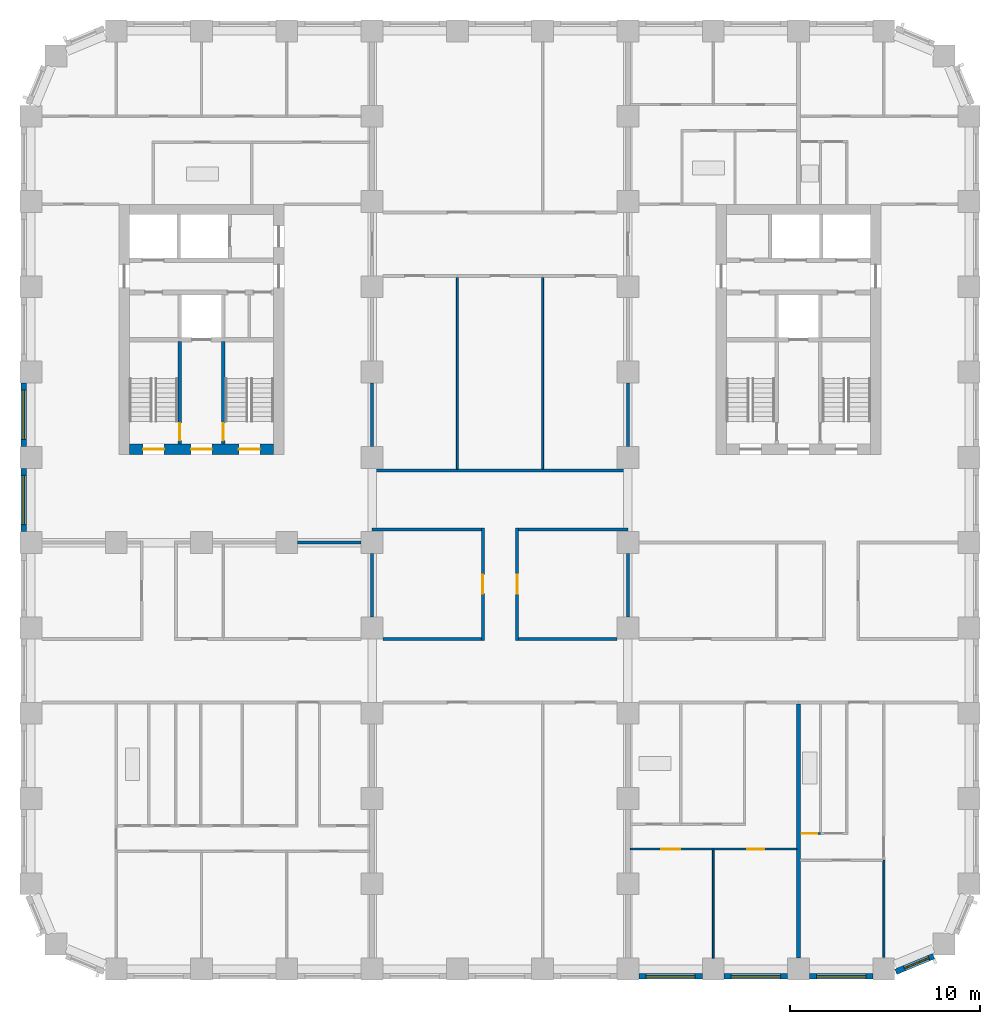
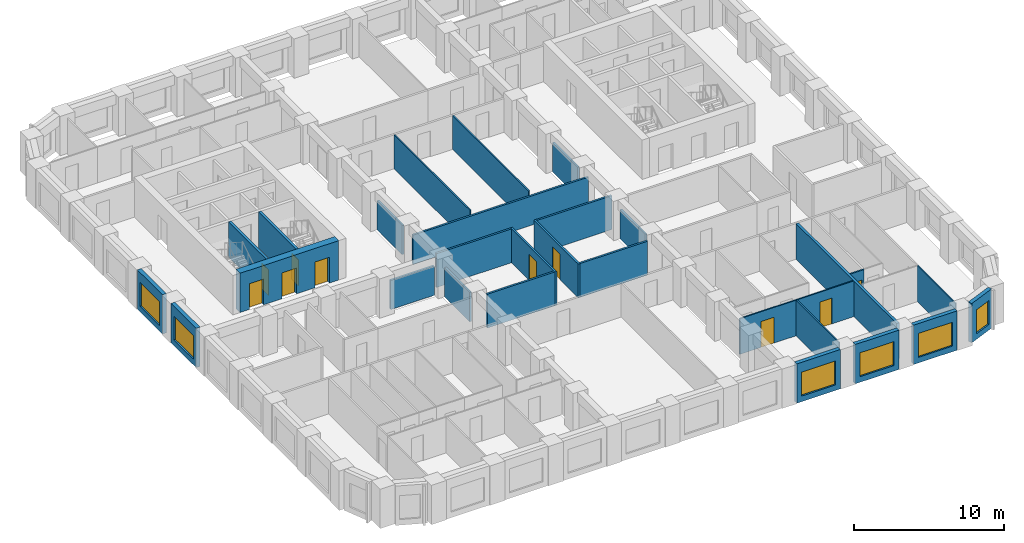
# One storey, part 4 of 13: 29 walls, 10 doors, 6 windows, 16 openings.
"""IFC4 building model written with IfcOpenShell, lengths in metres."""

from ifc_helpers import new_model, si_unit, direction, frame, frame_2d, origin, place, context, subcontext, project, spatial, rectangle, extrude, material, layer, layer_set, type_object, element, fill, save


model = new_model("IFC4")

# Units and contexts
model_context = context("Model", 3, precision=1e-05, world=origin(), true_north=direction((0.0, 1.0)))
body_context = subcontext(model_context, "Body", "Model", "MODEL_VIEW")
ifc_project = project(units=[si_unit("LENGTHUNIT", "METRE"), si_unit("AREAUNIT", "SQUARE_METRE"), si_unit("VOLUMEUNIT", "CUBIC_METRE"), si_unit("PLANEANGLEUNIT", "RADIAN"), si_unit("MASSUNIT", "GRAM", prefix="KILO")], contexts=[model_context])

# Site, building, storey
site_placement = place(None, origin())
site = spatial("IfcSite", under=ifc_project, at=site_placement, CompositionType="ELEMENT")
building_placement = place(site_placement, origin())
building = spatial("IfcBuilding", under=site, at=building_placement, Name="Girih Gate Residences", CompositionType="ELEMENT")
storey_placement = place(building_placement, frame((0.0, 0.0, 102.39990234375)))
storey = spatial("IfcBuildingStorey", under=building, at=storey_placement, Name="L28", CompositionType="ELEMENT", Elevation=102.39990234375)

# Wall, opening, door
ifc_material_1 = material(Name="Gypsum board on steel studs", Category="steel")
ifc_layer_1 = layer(ifc_material_1, 0.14990234375)
ifc_layer_set_1 = layer_set([ifc_layer_1], Name="Compartment wall 150 mm")
wall_type_1 = type_object("IfcWallType", Name="Compartment wall 150 mm", PredefinedType="PARTITIONING", material=ifc_layer_set_1)
wall_1_placement = place(storey_placement, frame((23.85009765625, 17.35009765625, 0.0), z_axis=(0.0, 0.0, 1.0), x_axis=(0.0, 1.0, 0.0)))
wall_1 = element("IfcWall", 1, at=wall_1_placement, inside=storey, type_object=wall_type_1, Name="L28 partition", PredefinedType="PARTITIONING", context=body_context, shape_type="SweptSolid", body=[
    extrude(rectangle(XDim=5.9248046875, YDim=0.14990234375, at=frame_2d((2.96240234375, 0.0))), origin(), (0.0, 0.0, 1.0), 2.75),
])
opening_1_placement = place(wall_1_placement, frame((2.46240234375, 0.0, 0.0)))
opening_1 = element("IfcOpeningElement", 2, at=opening_1_placement, cuts=wall_1, Name="Opening A28-048", PredefinedType="OPENING", context=body_context, shape_type="SweptSolid", body=[
    extrude(rectangle(XDim=1.0, YDim=2.10009765625, at=frame_2d((0.5, 1.050048828125))), frame((0.0, 0.0849609375, 0.0), z_axis=(0.0, -1.0, 0.0), x_axis=(1.0, 0.0, 0.0)), (0.0, 0.0, 1.0), 0.169921875),
])
ifc_material_2 = material(Name="Timber, fire-rated core", Category="wood")
door_type_1 = type_object("IfcDoorType", Name="Amenity room door 1000x2100 FD30S", OperationType="NOTDEFINED", PredefinedType="DOOR", material=ifc_material_2)
door_1_placement = place(opening_1_placement, origin())
door_1 = element("IfcDoor", 3, at=door_1_placement, inside=storey, type_object=door_type_1, Name="Door A28-048", OperationType="SINGLE_SWING_RIGHT", OverallHeight=2.10009765625, OverallWidth=1.0, PredefinedType="DOOR", context=body_context, shape_type="SweptSolid", body=[
    extrude(rectangle(XDim=1.0, YDim=2.10009765625, at=frame_2d((0.5, 1.050048828125))), frame((0.0, 0.02490234375, 0.0), z_axis=(0.0, -1.0, 0.0), x_axis=(1.0, 0.0, 0.0)), (0.0, 0.0, 1.0), 0.050048828125),
])
fill(opening_1, door_1)

wall_2_placement = place(storey_placement, frame((25.64990234375, 23.27490234375, 0.0), z_axis=(0.0, 0.0, 1.0), x_axis=(0.0, -1.0, 0.0)))
wall_2 = element("IfcWall", 4, at=wall_2_placement, inside=storey, type_object=wall_type_1, Name="L28 partition", PredefinedType="PARTITIONING", context=body_context, shape_type="SweptSolid", body=[
    extrude(rectangle(XDim=5.9248046875, YDim=0.14990234375, at=frame_2d((2.96240234375, 0.0))), origin(), (0.0, 0.0, 1.0), 2.75),
])
opening_2_placement = place(wall_2_placement, frame((2.46240234375, 0.0, 0.0)))
opening_2 = element("IfcOpeningElement", 5, at=opening_2_placement, cuts=wall_2, Name="Opening A28-049", PredefinedType="OPENING", context=body_context, shape_type="SweptSolid", body=[
    extrude(rectangle(XDim=1.0, YDim=2.10009765625, at=frame_2d((0.5, 1.050048828125))), frame((0.0, 0.0849609375, 0.0), z_axis=(0.0, -1.0, 0.0), x_axis=(1.0, 0.0, 0.0)), (0.0, 0.0, 1.0), 0.169921875),
])
door_2_placement = place(opening_2_placement, origin())
door_2 = element("IfcDoor", 6, at=door_2_placement, inside=storey, type_object=door_type_1, Name="Door A28-049", OperationType="SINGLE_SWING_RIGHT", OverallHeight=2.10009765625, OverallWidth=1.0, PredefinedType="DOOR", context=body_context, shape_type="SweptSolid", body=[
    extrude(rectangle(XDim=1.0, YDim=2.10009765625, at=frame_2d((0.5, 1.050048828125))), frame((0.0, 0.02490234375, 0.0), z_axis=(0.0, -1.0, 0.0), x_axis=(1.0, 0.0, 0.0)), (0.0, 0.0, 1.0), 0.050048828125),
])
fill(opening_2, door_2)

# Walls
for number, where, z_axis, x_axis, name in (
    (7, (18.574951171875, 17.425048828125, 0.0), (0.0, 0.0, 1.0), (1.0, 0.0, 0.0), "L28 partition"),
    (8, (25.72509765625, 17.425048828125, 0.0), (0.0, 0.0, 1.0), (1.0, 0.0, 0.0), "L28 partition"),
):
    element("IfcWall", number, at=place(storey_placement, frame(where, z_axis=z_axis, x_axis=x_axis)), inside=storey, type_object=wall_type_1, Name=name, PredefinedType="PARTITIONING", context=body_context, shape_type="SweptSolid", body=[
        extrude(rectangle(XDim=5.199951171875, YDim=0.14990234375, at=frame_2d((2.60009765625, 0.0))), origin(), (0.0, 0.0, 1.0), 2.75),
    ])
wall_3_placement = place(storey_placement, frame((18.0, 27.574951171875, 0.0), z_axis=(0.0, 0.0, 1.0), x_axis=(0.0, 1.0, 0.0)))
element("IfcWall", 9, at=wall_3_placement, inside=storey, type_object=wall_type_1, Name="L28 partition", PredefinedType="PARTITIONING", context=body_context, shape_type="SweptSolid", body=[
    extrude(rectangle(XDim=3.35009765625, YDim=0.14990234375, at=frame_2d((1.675048828125, 0.0))), origin(), (0.0, 0.0, 1.0), 2.380126953125),
])
wall_4_placement = place(storey_placement, frame((18.0, 26.300048828125, 0.0), z_axis=(0.0, 0.0, 1.0), x_axis=(1.0, 0.0, 0.0)))
element("IfcWall", 10, at=wall_4_placement, inside=storey, type_object=wall_type_1, Name="L28 partition", PredefinedType="PARTITIONING", context=body_context, shape_type="SweptSolid", body=[
    extrude(rectangle(XDim=13.5, YDim=0.14990234375, at=frame_2d((6.75, 0.0))), origin(), (0.0, 0.0, 1.0), 2.380126953125),
])
wall_5_placement = place(storey_placement, frame((31.5, 27.574951171875, 0.0), z_axis=(0.0, 0.0, 1.0), x_axis=(0.0, 1.0, 0.0)))
element("IfcWall", 11, at=wall_5_placement, inside=storey, type_object=wall_type_1, Name="L28 partition", PredefinedType="PARTITIONING", context=body_context, shape_type="SweptSolid", body=[
    extrude(rectangle(XDim=3.35009765625, YDim=0.14990234375, at=frame_2d((1.675048828125, 0.0))), origin(), (0.0, 0.0, 1.0), 2.380126953125),
])
wall_6_placement = place(storey_placement, frame((18.0, 23.199951171875, 0.0), z_axis=(0.0, 0.0, 1.0), x_axis=(1.0, 0.0, 0.0)))
element("IfcWall", 12, at=wall_6_placement, inside=storey, type_object=wall_type_1, Name="L28 partition", PredefinedType="PARTITIONING", context=body_context, shape_type="SweptSolid", body=[
    extrude(rectangle(XDim=5.77490234375, YDim=0.14990234375, at=frame_2d((2.887451171875, 0.0))), origin(), (0.0, 0.0, 1.0), 2.75),
])
wall_7_placement = place(storey_placement, frame((18.0, 18.574951171875, 0.0), z_axis=(0.0, 0.0, 1.0), x_axis=(0.0, 1.0, 0.0)))
element("IfcWall", 13, at=wall_7_placement, inside=storey, type_object=wall_type_1, Name="L28 partition", PredefinedType="PARTITIONING", context=body_context, shape_type="SweptSolid", body=[
    extrude(rectangle(XDim=3.35009765625, YDim=0.14990234375, at=frame_2d((1.675048828125, 0.0))), origin(), (0.0, 0.0, 1.0), 2.380126953125),
])
wall_8_placement = place(storey_placement, frame((25.72509765625, 23.199951171875, 0.0), z_axis=(0.0, 0.0, 1.0), x_axis=(1.0, 0.0, 0.0)))
element("IfcWall", 14, at=wall_8_placement, inside=storey, type_object=wall_type_1, Name="L28 partition", PredefinedType="PARTITIONING", context=body_context, shape_type="SweptSolid", body=[
    extrude(rectangle(XDim=5.77490234375, YDim=0.14990234375, at=frame_2d((2.887451171875, 0.0))), origin(), (0.0, 0.0, 1.0), 2.75),
])
for number, where, z_axis, x_axis, name in (
    (15, (31.5, 18.574951171875, 0.0), (0.0, 0.0, 1.0), (0.0, 1.0, 0.0), "L28 partition"),
    (16, (14.074951171875, 22.5, 0.0), (0.0, 0.0, 1.0), (1.0, 0.0, 0.0), "L28 partition"),
):
    element("IfcWall", number, at=place(storey_placement, frame(where, z_axis=z_axis, x_axis=x_axis)), inside=storey, type_object=wall_type_1, Name=name, PredefinedType="PARTITIONING", context=body_context, shape_type="SweptSolid", body=[
        extrude(rectangle(XDim=3.35009765625, YDim=0.14990234375, at=frame_2d((1.675048828125, 0.0))), origin(), (0.0, 0.0, 1.0), 2.380126953125),
    ])

# Wall, openings, doors
ifc_material_3 = material(Name="Concrete C60/75", Category="concrete")
ifc_layer_2 = layer(ifc_material_3, 0.550048828125)
ifc_layer_set_2 = layer_set([ifc_layer_2], Name="Core wall RC 550 Concrete C60/75")
wall_type_2 = type_object("IfcWallType", Name="Core wall RC 550 Concrete C60/75", PredefinedType="SOLIDWALL", material=ifc_layer_set_2)
wall_9_placement = place(storey_placement, frame((5.199951171875, 27.425048828125, 0.0), z_axis=(0.0, 0.0, 1.0), x_axis=(1.0, 0.0, 0.0)))
wall_9 = element("IfcWall", 17, at=wall_9_placement, inside=storey, type_object=wall_type_2, Name="Core wall W-S L28", PredefinedType="SOLIDWALL", context=body_context, shape_type="SweptSolid", body=[
    extrude(rectangle(XDim=7.60009765625, YDim=0.550048828125, at=frame_2d((3.800048828125, 0.0))), origin(), (0.0, 0.0, 1.0), 3.2001953125),
])
opening_3_placement = place(wall_9_placement, frame((0.72509765625, 0.0, 0.0)))
opening_3 = element("IfcOpeningElement", 18, at=opening_3_placement, cuts=wall_9, Name="Opening D-L28-W-009", PredefinedType="OPENING", context=body_context, shape_type="SweptSolid", body=[
    extrude(rectangle(XDim=1.10009765625, YDim=2.10009765625, at=frame_2d((0.550048828125, 1.050048828125))), frame((0.0, 0.284912109375, 0.0), z_axis=(0.0, -1.0, 0.0), x_axis=(1.0, 0.0, 0.0)), (0.0, 0.0, 1.0), 0.570068359375),
])
opening_4_placement = place(wall_9_placement, frame((3.25, 0.0, 0.0)))
opening_4 = element("IfcOpeningElement", 19, at=opening_4_placement, cuts=wall_9, Name="Opening D-L28-W-010", PredefinedType="OPENING", context=body_context, shape_type="SweptSolid", body=[
    extrude(rectangle(XDim=1.10009765625, YDim=2.10009765625, at=frame_2d((0.550048828125, 1.050048828125))), frame((0.0, 0.284912109375, 0.0), z_axis=(0.0, -1.0, 0.0), x_axis=(1.0, 0.0, 0.0)), (0.0, 0.0, 1.0), 0.570068359375),
])
opening_5_placement = place(wall_9_placement, frame((5.77490234375, 0.0, 0.0)))
opening_5 = element("IfcOpeningElement", 20, at=opening_5_placement, cuts=wall_9, Name="Opening D-L28-W-011", PredefinedType="OPENING", context=body_context, shape_type="SweptSolid", body=[
    extrude(rectangle(XDim=1.10009765625, YDim=2.10009765625, at=frame_2d((0.550048828125, 1.050048828125))), frame((0.0, 0.284912109375, 0.0), z_axis=(0.0, -1.0, 0.0), x_axis=(1.0, 0.0, 0.0)), (0.0, 0.0, 1.0), 0.570068359375),
])
ifc_material_4 = material(Name="Painted steel, fire-resisting", Category="steel")
door_type_2 = type_object("IfcDoorType", Name="Fire door 1100x2100", OperationType="SINGLE_SWING_LEFT", PredefinedType="DOOR", material=ifc_material_4)
door_3_placement = place(opening_3_placement, origin())
door_3 = element("IfcDoor", 21, at=door_3_placement, inside=storey, type_object=door_type_2, Name="L28 W core door sta-out", OperationType="SINGLE_SWING_LEFT", OverallHeight=2.10009765625, OverallWidth=1.10009765625, PredefinedType="DOOR", context=body_context, shape_type="SweptSolid", body=[
    extrude(rectangle(XDim=1.10009765625, YDim=2.10009765625, at=frame_2d((0.550048828125, 1.050048828125))), frame((0.0, 0.02490234375, 0.0), z_axis=(0.0, -1.0, 0.0), x_axis=(1.0, 0.0, 0.0)), (0.0, 0.0, 1.0), 0.050048828125),
])
fill(opening_3, door_3)
door_4_placement = place(opening_4_placement, origin())
door_4 = element("IfcDoor", 22, at=door_4_placement, inside=storey, type_object=door_type_2, Name="L28 W core door ffl-out", OperationType="SINGLE_SWING_LEFT", OverallHeight=2.10009765625, OverallWidth=1.10009765625, PredefinedType="DOOR", context=body_context, shape_type="SweptSolid", body=[
    extrude(rectangle(XDim=1.10009765625, YDim=2.10009765625, at=frame_2d((0.550048828125, 1.050048828125))), frame((0.0, 0.02490234375, 0.0), z_axis=(0.0, -1.0, 0.0), x_axis=(1.0, 0.0, 0.0)), (0.0, 0.0, 1.0), 0.050048828125),
])
fill(opening_4, door_4)
door_5_placement = place(opening_5_placement, origin())
door_5 = element("IfcDoor", 23, at=door_5_placement, inside=storey, type_object=door_type_2, Name="L28 W core door stb-out", OperationType="SINGLE_SWING_LEFT", OverallHeight=2.10009765625, OverallWidth=1.10009765625, PredefinedType="DOOR", context=body_context, shape_type="SweptSolid", body=[
    extrude(rectangle(XDim=1.10009765625, YDim=2.10009765625, at=frame_2d((0.550048828125, 1.050048828125))), frame((0.0, 0.02490234375, 0.0), z_axis=(0.0, -1.0, 0.0), x_axis=(1.0, 0.0, 0.0)), (0.0, 0.0, 1.0), 0.050048828125),
])
fill(opening_5, door_5)

# Wall
ifc_layer_3 = layer(ifc_material_1, 0.10009765625)
ifc_layer_set_3 = layer_set([ifc_layer_3], Name="Partition 100 mm")
wall_type_3 = type_object("IfcWallType", Name="Partition 100 mm", PredefinedType="PARTITIONING", material=ifc_layer_set_3)
wall_10_placement = place(storey_placement, frame((45.0, 0.622314453125, 0.0), z_axis=(0.0, 0.0, 1.0), x_axis=(0.0, 1.0, 0.0)))
element("IfcWall", 24, at=wall_10_placement, inside=storey, type_object=wall_type_3, Name="L28 partition", PredefinedType="PARTITIONING", context=body_context, shape_type="SweptSolid", body=[
    extrude(rectangle(XDim=5.11279296875, YDim=0.10009765625, at=frame_2d((2.556396484375, 0.0))), origin(), (0.0, 0.0, 1.0), 2.900146484375),
])

# Wall, opening, door
wall_11_placement = place(storey_placement, frame((40.39990234375, 6.3349609375, 0.0), z_axis=(0.0, 0.0, 1.0), x_axis=(-1.0, 0.0, 0.0)))
wall_11 = element("IfcWall", 25, at=wall_11_placement, inside=storey, type_object=wall_type_3, Name="L28 partition", PredefinedType="PARTITIONING", context=body_context, shape_type="SweptSolid", body=[
    extrude(rectangle(XDim=4.39990234375, YDim=0.10009765625, at=frame_2d((2.199951171875, 0.0))), origin(), (0.0, 0.0, 1.0), 2.900146484375),
])
opening_6_placement = place(wall_11_placement, frame((1.699951171875, 0.0, 0.0)))
opening_6 = element("IfcOpeningElement", 26, at=opening_6_placement, cuts=wall_11, Name="Opening A28-025", PredefinedType="OPENING", context=body_context, shape_type="SweptSolid", body=[
    extrude(rectangle(XDim=0.89990234375, YDim=2.10009765625, at=frame_2d((0.449951171875, 1.050048828125))), frame((0.0, 0.06005859375, 0.0), z_axis=(0.0, -1.0, 0.0), x_axis=(1.0, 0.0, 0.0)), (0.0, 0.0, 1.0), 0.1201171875),
])
ifc_material_5 = material(Name="Timber", Category="wood")
door_type_3 = type_object("IfcDoorType", Name="Bedroom door 900x2100", OperationType="NOTDEFINED", PredefinedType="DOOR", material=ifc_material_5)
door_6_placement = place(opening_6_placement, origin())
door_6 = element("IfcDoor", 27, at=door_6_placement, inside=storey, type_object=door_type_3, Name="Door A28-025", OperationType="SINGLE_SWING_LEFT", OverallHeight=2.10009765625, OverallWidth=0.89990234375, PredefinedType="DOOR", context=body_context, shape_type="SweptSolid", body=[
    extrude(rectangle(XDim=0.89990234375, YDim=2.10009765625, at=frame_2d((0.449951171875, 1.050048828125))), frame((0.0, 0.02490234375, 0.0), z_axis=(0.0, -1.0, 0.0), x_axis=(1.0, 0.0, 0.0)), (0.0, 0.0, 1.0), 0.050048828125),
])
fill(opening_6, door_6)

# Wall
wall_12_placement = place(storey_placement, frame((36.0, 0.574951171875, 0.0), z_axis=(0.0, 0.0, 1.0), x_axis=(0.0, 1.0, 0.0)))
element("IfcWall", 28, at=wall_12_placement, inside=storey, type_object=wall_type_3, Name="L28 partition", PredefinedType="PARTITIONING", context=body_context, shape_type="SweptSolid", body=[
    extrude(rectangle(XDim=5.7099609375, YDim=0.10009765625, at=frame_2d((2.85498046875, 0.0))), origin(), (0.0, 0.0, 1.0), 2.900146484375),
])

# Wall, opening, door
wall_13_placement = place(storey_placement, frame((36.0, 6.3349609375, 0.0), z_axis=(0.0, 0.0, 1.0), x_axis=(-1.0, 0.0, 0.0)))
wall_13 = element("IfcWall", 29, at=wall_13_placement, inside=storey, type_object=wall_type_3, Name="L28 partition", PredefinedType="PARTITIONING", context=body_context, shape_type="SweptSolid", body=[
    extrude(rectangle(XDim=4.375, YDim=0.10009765625, at=frame_2d((2.1875, 0.0))), origin(), (0.0, 0.0, 1.0), 2.900146484375),
])
opening_7_placement = place(wall_13_placement, frame((1.75, 0.0, 0.0)))
opening_7 = element("IfcOpeningElement", 30, at=opening_7_placement, cuts=wall_13, Name="Opening A28-027", PredefinedType="OPENING", context=body_context, shape_type="SweptSolid", body=[
    extrude(rectangle(XDim=1.0, YDim=2.10009765625, at=frame_2d((0.5, 1.050048828125))), frame((0.0, 0.06005859375, 0.0), z_axis=(0.0, -1.0, 0.0), x_axis=(1.0, 0.0, 0.0)), (0.0, 0.0, 1.0), 0.1201171875),
])
door_type_4 = type_object("IfcDoorType", Name="Living room door 1000x2100", OperationType="NOTDEFINED", PredefinedType="DOOR", material=ifc_material_5)
door_7_placement = place(opening_7_placement, origin())
door_7 = element("IfcDoor", 31, at=door_7_placement, inside=storey, type_object=door_type_4, Name="Door A28-027", OperationType="SINGLE_SWING_RIGHT", OverallHeight=2.10009765625, OverallWidth=1.0, PredefinedType="DOOR", context=body_context, shape_type="SweptSolid", body=[
    extrude(rectangle(XDim=1.0, YDim=2.10009765625, at=frame_2d((0.5, 1.050048828125))), frame((0.0, 0.02490234375, 0.0), z_axis=(0.0, -1.0, 0.0), x_axis=(1.0, 0.0, 0.0)), (0.0, 0.0, 1.0), 0.050048828125),
])
fill(opening_7, door_7)

# Walls
for number, where, z_axis, x_axis, name in (
    (32, (22.5, 26.375, 0.0), (0.0, 0.0, 1.0), (0.0, 1.0, 0.0), "L28 partition"),
    (33, (27.0, 26.375, 0.0), (0.0, 0.0, 1.0), (0.0, 1.0, 0.0), "L28 partition"),
):
    element("IfcWall", number, at=place(storey_placement, frame(where, z_axis=z_axis, x_axis=x_axis)), inside=storey, type_object=wall_type_3, Name=name, PredefinedType="PARTITIONING", context=body_context, shape_type="SweptSolid", body=[
        extrude(rectangle(XDim=10.125, YDim=0.10009765625, at=frame_2d((5.0625, 0.0))), origin(), (0.0, 0.0, 1.0), 2.75),
    ])
ifc_layer_4 = layer(ifc_material_1, 0.199951171875)
ifc_layer_set_4 = layer_set([ifc_layer_4], Name="Party wall 200 mm")
wall_type_4 = type_object("IfcWallType", Name="Party wall 200 mm", PredefinedType="PARTITIONING", material=ifc_layer_set_4)
wall_14_placement = place(storey_placement, frame((40.5, 0.574951171875, 0.0), z_axis=(0.0, 0.0, 1.0), x_axis=(0.0, 1.0, 0.0)))
element("IfcWall", 34, at=wall_14_placement, inside=storey, type_object=wall_type_4, Name="L28 partition", PredefinedType="PARTITIONING", context=body_context, shape_type="SweptSolid", body=[
    extrude(rectangle(XDim=13.425048828125, YDim=0.199951171875, at=frame_2d((6.71240234375, 0.0))), origin(), (0.0, 0.0, 1.0), 2.900146484375),
])

# Wall, opening, window
ifc_material_6 = material(Name="Precast concrete C50/60", Category="concrete")
ifc_layer_5 = layer(ifc_material_6, 0.080078125, Name="Outer leaf")
ifc_material_7 = material(Name="Rigid PIR insulation")
ifc_layer_6 = layer(ifc_material_7, 0.14990234375, Name="Insulation")
ifc_material_8 = material(Name="Precast concrete C40/50", Category="concrete")
ifc_layer_7 = layer(ifc_material_8, 0.070068359375, Name="Inner leaf")
ifc_layer_set_5 = layer_set([ifc_layer_5, ifc_layer_6, ifc_layer_7], Name="Precast concrete C50/60 external wall 300")
wall_type_5 = type_object("IfcWallType", Name="Precast concrete C50/60 external wall 300", PredefinedType="SOLIDWALL", material=ifc_layer_set_5)
wall_15_placement = place(storey_placement, frame((35.425048828125, -0.375, 0.0), z_axis=(0.0, 0.0, 1.0), x_axis=(-1.0, 0.0, 0.0)))
wall_15 = element("IfcWall", 35, at=wall_15_placement, inside=storey, type_object=wall_type_5, Name="External wall S0045_0000.6", PredefinedType="SOLIDWALL", context=body_context, shape_type="SweptSolid", body=[
    extrude(rectangle(XDim=3.35009765625, YDim=0.300048828125, at=frame_2d((1.675048828125, 0.0))), origin(), (0.0, 0.0, 1.0), 3.2001953125),
])
opening_8_placement = place(wall_15_placement, frame((0.375, 0.0, 0.449951171875)))
opening_8 = element("IfcOpeningElement", 36, at=opening_8_placement, cuts=wall_15, Name="Opening W-1A", PredefinedType="OPENING", context=body_context, shape_type="SweptSolid", body=[
    extrude(rectangle(XDim=2.60009765625, YDim=1.949951171875, at=frame_2d((1.300048828125, 0.97509765625))), frame((0.0, 0.159912109375, 0.0), z_axis=(0.0, -1.0, 0.0), x_axis=(1.0, 0.0, 0.0)), (0.0, 0.0, 1.0), 0.320068359375),
])
ifc_material_9 = material(Name="Double glazing in aluminium frame", Category="aluminium")
window_type_1 = type_object("IfcWindowType", Name="Window W-1A 2600x1950", PartitioningType="SINGLE_PANEL", PredefinedType="WINDOW", material=ifc_material_9)
window_1_placement = place(opening_8_placement, origin())
window_1 = element("IfcWindow", 37, at=window_1_placement, inside=storey, type_object=window_type_1, Name="Window W-1A S0045_0000.6", OverallHeight=1.949951171875, OverallWidth=2.60009765625, PartitioningType="SINGLE_PANEL", PredefinedType="WINDOW", context=body_context, shape_type="SweptSolid", body=[
    extrude(rectangle(XDim=2.60009765625, YDim=1.949951171875, at=frame_2d((1.300048828125, 0.97509765625))), frame((0.0, 0.030029296875, 0.0), z_axis=(0.0, -1.0, 0.0), x_axis=(1.0, 0.0, 0.0)), (0.0, 0.0, 1.0), 0.06005859375),
])
fill(opening_8, window_1)

wall_16_placement = place(storey_placement, frame((39.925048828125, -0.375, 0.0), z_axis=(0.0, 0.0, 1.0), x_axis=(-1.0, 0.0, 0.0)))
wall_16 = element("IfcWall", 38, at=wall_16_placement, inside=storey, type_object=wall_type_5, Name="External wall S0045_0000.7", PredefinedType="SOLIDWALL", context=body_context, shape_type="SweptSolid", body=[
    extrude(rectangle(XDim=3.35009765625, YDim=0.300048828125, at=frame_2d((1.675048828125, 0.0))), origin(), (0.0, 0.0, 1.0), 3.2001953125),
])
opening_9_placement = place(wall_16_placement, frame((0.375, 0.0, 0.449951171875)))
opening_9 = element("IfcOpeningElement", 39, at=opening_9_placement, cuts=wall_16, Name="Opening W-1A", PredefinedType="OPENING", context=body_context, shape_type="SweptSolid", body=[
    extrude(rectangle(XDim=2.60009765625, YDim=1.949951171875, at=frame_2d((1.300048828125, 0.97509765625))), frame((0.0, 0.159912109375, 0.0), z_axis=(0.0, -1.0, 0.0), x_axis=(1.0, 0.0, 0.0)), (0.0, 0.0, 1.0), 0.320068359375),
])
window_2_placement = place(opening_9_placement, origin())
window_2 = element("IfcWindow", 40, at=window_2_placement, inside=storey, type_object=window_type_1, Name="Window W-1A S0045_0000.7", OverallHeight=1.949951171875, OverallWidth=2.60009765625, PartitioningType="SINGLE_PANEL", PredefinedType="WINDOW", context=body_context, shape_type="SweptSolid", body=[
    extrude(rectangle(XDim=2.60009765625, YDim=1.949951171875, at=frame_2d((1.300048828125, 0.97509765625))), frame((0.0, 0.030029296875, 0.0), z_axis=(0.0, -1.0, 0.0), x_axis=(1.0, 0.0, 0.0)), (0.0, 0.0, 1.0), 0.06005859375),
])
fill(opening_9, window_2)

wall_17_placement = place(storey_placement, frame((44.425048828125, -0.375, 0.0), z_axis=(0.0, 0.0, 1.0), x_axis=(-1.0, 0.0, 0.0)))
wall_17 = element("IfcWall", 41, at=wall_17_placement, inside=storey, type_object=wall_type_5, Name="External wall S0045_0000.8", PredefinedType="SOLIDWALL", context=body_context, shape_type="SweptSolid", body=[
    extrude(rectangle(XDim=3.35009765625, YDim=0.300048828125, at=frame_2d((1.675048828125, 0.0))), origin(), (0.0, 0.0, 1.0), 3.2001953125),
])
opening_10_placement = place(wall_17_placement, frame((0.375, 0.0, 0.449951171875)))
opening_10 = element("IfcOpeningElement", 42, at=opening_10_placement, cuts=wall_17, Name="Opening W-1A", PredefinedType="OPENING", context=body_context, shape_type="SweptSolid", body=[
    extrude(rectangle(XDim=2.60009765625, YDim=1.949951171875, at=frame_2d((1.300048828125, 0.97509765625))), frame((0.0, 0.159912109375, 0.0), z_axis=(0.0, -1.0, 0.0), x_axis=(1.0, 0.0, 0.0)), (0.0, 0.0, 1.0), 0.320068359375),
])
window_3_placement = place(opening_10_placement, origin())
window_3 = element("IfcWindow", 43, at=window_3_placement, inside=storey, type_object=window_type_1, Name="Window W-1A S0045_0000.8", OverallHeight=1.949951171875, OverallWidth=2.60009765625, PartitioningType="SINGLE_PANEL", PredefinedType="WINDOW", context=body_context, shape_type="SweptSolid", body=[
    extrude(rectangle(XDim=2.60009765625, YDim=1.949951171875, at=frame_2d((1.300048828125, 0.97509765625))), frame((0.0, 0.030029296875, 0.0), z_axis=(0.0, -1.0, 0.0), x_axis=(1.0, 0.0, 0.0)), (0.0, 0.0, 1.0), 0.06005859375),
])
fill(opening_10, window_3)

wall_18_placement = place(storey_placement, frame((47.63134765625, 0.68408203125, 0.0), z_axis=(0.0, 0.0, 1.0), x_axis=(-0.923862802911, -0.382723818695, 0.0)))
wall_18 = element("IfcWall", 44, at=wall_18_placement, inside=storey, type_object=wall_type_5, Name="External wall SE0450_0000.0", PredefinedType="SOLIDWALL", context=body_context, shape_type="SweptSolid", body=[
    extrude(rectangle(XDim=2.163818359375, YDim=0.300048828125, at=frame_2d((1.08203125, 0.0))), origin(), (0.0, 0.0, 1.0), 3.2001953125),
])
opening_11_placement = place(wall_18_placement, frame((0.270751953125, 0.0, 0.449951171875)))
opening_11 = element("IfcOpeningElement", 45, at=opening_11_placement, cuts=wall_18, Name="Opening W-2D", PredefinedType="OPENING", context=body_context, shape_type="SweptSolid", body=[
    extrude(rectangle(XDim=1.39990234375, YDim=1.949951171875, at=frame_2d((0.699951171875, 0.97509765625))), frame((0.0, 0.159912109375, 0.0), z_axis=(0.0, -1.0, 0.0), x_axis=(1.0, 0.0, 0.0)), (0.0, 0.0, 1.0), 0.320068359375),
])
window_type_2 = type_object("IfcWindowType", Name="Window W-2D 1400x1950", PartitioningType="SINGLE_PANEL", PredefinedType="WINDOW", material=ifc_material_9)
window_4_placement = place(opening_11_placement, origin())
window_4 = element("IfcWindow", 46, at=window_4_placement, inside=storey, type_object=window_type_2, Name="Window W-2D SE0450_0000.0", OverallHeight=1.949951171875, OverallWidth=1.39990234375, PartitioningType="SINGLE_PANEL", PredefinedType="WINDOW", context=body_context, shape_type="SweptSolid", body=[
    extrude(rectangle(XDim=1.39990234375, YDim=1.949951171875, at=frame_2d((0.699951171875, 0.97509765625))), frame((0.0, 0.030029296875, 0.0), z_axis=(0.0, -1.0, 0.0), x_axis=(1.0, 0.0, 0.0)), (0.0, 0.0, 1.0), 0.06005859375),
])
fill(opening_11, window_4)

wall_19_placement = place(storey_placement, frame((-0.375, 27.574951171875, 0.0), z_axis=(0.0, 0.0, 1.0), x_axis=(0.0, 1.0, 0.0)))
wall_19 = element("IfcWall", 47, at=wall_19_placement, inside=storey, type_object=wall_type_5, Name="External wall W0000_0450.3", PredefinedType="SOLIDWALL", context=body_context, shape_type="SweptSolid", body=[
    extrude(rectangle(XDim=3.35009765625, YDim=0.300048828125, at=frame_2d((1.675048828125, 0.0))), origin(), (0.0, 0.0, 1.0), 3.2001953125),
])
opening_12_placement = place(wall_19_placement, frame((0.375, 0.0, 0.449951171875)))
opening_12 = element("IfcOpeningElement", 48, at=opening_12_placement, cuts=wall_19, Name="Opening W-1A", PredefinedType="OPENING", context=body_context, shape_type="SweptSolid", body=[
    extrude(rectangle(XDim=2.60009765625, YDim=1.949951171875, at=frame_2d((1.300048828125, 0.97509765625))), frame((0.0, 0.159912109375, 0.0), z_axis=(0.0, -1.0, 0.0), x_axis=(1.0, 0.0, 0.0)), (0.0, 0.0, 1.0), 0.320068359375),
])
window_5_placement = place(opening_12_placement, origin())
window_5 = element("IfcWindow", 49, at=window_5_placement, inside=storey, type_object=window_type_1, Name="Window W-1A W0000_0450.3", OverallHeight=1.949951171875, OverallWidth=2.60009765625, PartitioningType="SINGLE_PANEL", PredefinedType="WINDOW", context=body_context, shape_type="SweptSolid", body=[
    extrude(rectangle(XDim=2.60009765625, YDim=1.949951171875, at=frame_2d((1.300048828125, 0.97509765625))), frame((0.0, 0.030029296875, 0.0), z_axis=(0.0, -1.0, 0.0), x_axis=(1.0, 0.0, 0.0)), (0.0, 0.0, 1.0), 0.06005859375),
])
fill(opening_12, window_5)

wall_20_placement = place(storey_placement, frame((-0.375, 23.074951171875, 0.0), z_axis=(0.0, 0.0, 1.0), x_axis=(0.0, 1.0, 0.0)))
wall_20 = element("IfcWall", 50, at=wall_20_placement, inside=storey, type_object=wall_type_5, Name="External wall W0000_0450.4", PredefinedType="SOLIDWALL", context=body_context, shape_type="SweptSolid", body=[
    extrude(rectangle(XDim=3.35009765625, YDim=0.300048828125, at=frame_2d((1.675048828125, 0.0))), origin(), (0.0, 0.0, 1.0), 3.2001953125),
])
opening_13_placement = place(wall_20_placement, frame((0.375, 0.0, 0.449951171875)))
opening_13 = element("IfcOpeningElement", 51, at=opening_13_placement, cuts=wall_20, Name="Opening W-1A", PredefinedType="OPENING", context=body_context, shape_type="SweptSolid", body=[
    extrude(rectangle(XDim=2.60009765625, YDim=1.949951171875, at=frame_2d((1.300048828125, 0.97509765625))), frame((0.0, 0.159912109375, 0.0), z_axis=(0.0, -1.0, 0.0), x_axis=(1.0, 0.0, 0.0)), (0.0, 0.0, 1.0), 0.320068359375),
])
window_6_placement = place(opening_13_placement, origin())
window_6 = element("IfcWindow", 52, at=window_6_placement, inside=storey, type_object=window_type_1, Name="Window W-1A W0000_0450.4", OverallHeight=1.949951171875, OverallWidth=2.60009765625, PartitioningType="SINGLE_PANEL", PredefinedType="WINDOW", context=body_context, shape_type="SweptSolid", body=[
    extrude(rectangle(XDim=2.60009765625, YDim=1.949951171875, at=frame_2d((1.300048828125, 0.97509765625))), frame((0.0, 0.030029296875, 0.0), z_axis=(0.0, -1.0, 0.0), x_axis=(1.0, 0.0, 0.0)), (0.0, 0.0, 1.0), 0.06005859375),
])
fill(opening_13, window_6)

# Wall, opening, door
ifc_material_10 = material(Name="Concrete C40/50", Category="concrete")
ifc_layer_8 = layer(ifc_material_10, 0.199951171875)
ifc_layer_set_6 = layer_set([ifc_layer_8], Name="Shaft wall 200")
wall_type_6 = type_object("IfcWallType", Name="Shaft wall 200", PredefinedType="SOLIDWALL", material=ifc_layer_set_6)
wall_21_placement = place(storey_placement, frame((7.85009765625, 27.699951171875, 0.0), z_axis=(0.0, 0.0, 1.0), x_axis=(0.0, 1.0, 0.0)))
wall_21 = element("IfcWall", 53, at=wall_21_placement, inside=storey, type_object=wall_type_6, Name="L28 W core wall V1a", PredefinedType="SOLIDWALL", context=body_context, shape_type="SweptSolid", body=[
    extrude(rectangle(XDim=5.400146484375, YDim=0.199951171875, at=frame_2d((2.7001953125, 0.0))), origin(), (0.0, 0.0, 1.0), 2.900146484375),
])
opening_14_placement = place(wall_21_placement, frame((0.199951171875, 0.0, 0.0)))
opening_14 = element("IfcOpeningElement", 54, at=opening_14_placement, cuts=wall_21, Name="Opening D-L28-W-001", PredefinedType="OPENING", context=body_context, shape_type="SweptSolid", body=[
    extrude(rectangle(XDim=0.89990234375, YDim=2.10009765625, at=frame_2d((0.449951171875, 1.050048828125))), frame((0.0, 0.10986328125, 0.0), z_axis=(0.0, -1.0, 0.0), x_axis=(1.0, 0.0, 0.0)), (0.0, 0.0, 1.0), 0.219970703125),
])
door_type_5 = type_object("IfcDoorType", Name="Fire door 900x2100", OperationType="SINGLE_SWING_LEFT", PredefinedType="DOOR", material=ifc_material_4)
door_8_placement = place(opening_14_placement, origin())
door_8 = element("IfcDoor", 55, at=door_8_placement, inside=storey, type_object=door_type_5, Name="L28 W door stair 1 to firefighting lobby", OperationType="SINGLE_SWING_LEFT", OverallHeight=2.10009765625, OverallWidth=0.89990234375, PredefinedType="DOOR", context=body_context, shape_type="SweptSolid", body=[
    extrude(rectangle(XDim=0.89990234375, YDim=2.10009765625, at=frame_2d((0.449951171875, 1.050048828125))), frame((0.0, 0.02490234375, 0.0), z_axis=(0.0, -1.0, 0.0), x_axis=(1.0, 0.0, 0.0)), (0.0, 0.0, 1.0), 0.050048828125),
])
fill(opening_14, door_8)

wall_22_placement = place(storey_placement, frame((10.14990234375, 27.699951171875, 0.0), z_axis=(0.0, 0.0, 1.0), x_axis=(0.0, 1.0, 0.0)))
wall_22 = element("IfcWall", 56, at=wall_22_placement, inside=storey, type_object=wall_type_6, Name="L28 W core wall V2a", PredefinedType="SOLIDWALL", context=body_context, shape_type="SweptSolid", body=[
    extrude(rectangle(XDim=5.400146484375, YDim=0.199951171875, at=frame_2d((2.7001953125, 0.0))), origin(), (0.0, 0.0, 1.0), 2.900146484375),
])
opening_15_placement = place(wall_22_placement, frame((0.199951171875, 0.0, 0.0)))
opening_15 = element("IfcOpeningElement", 57, at=opening_15_placement, cuts=wall_22, Name="Opening D-L28-W-002", PredefinedType="OPENING", context=body_context, shape_type="SweptSolid", body=[
    extrude(rectangle(XDim=0.89990234375, YDim=2.10009765625, at=frame_2d((0.449951171875, 1.050048828125))), frame((0.0, 0.10986328125, 0.0), z_axis=(0.0, -1.0, 0.0), x_axis=(1.0, 0.0, 0.0)), (0.0, 0.0, 1.0), 0.219970703125),
])
door_9_placement = place(opening_15_placement, origin())
door_9 = element("IfcDoor", 58, at=door_9_placement, inside=storey, type_object=door_type_5, Name="L28 W door stair 2 to firefighting lobby", OperationType="SINGLE_SWING_LEFT", OverallHeight=2.10009765625, OverallWidth=0.89990234375, PredefinedType="DOOR", context=body_context, shape_type="SweptSolid", body=[
    extrude(rectangle(XDim=0.89990234375, YDim=2.10009765625, at=frame_2d((0.449951171875, 1.050048828125))), frame((0.0, 0.02490234375, 0.0), z_axis=(0.0, -1.0, 0.0), x_axis=(1.0, 0.0, 0.0)), (0.0, 0.0, 1.0), 0.050048828125),
])
fill(opening_15, door_9)

ifc_layer_9 = layer(ifc_material_1, 0.125)
ifc_layer_set_7 = layer_set([ifc_layer_9], Name="Wet room wall 125 mm")
wall_type_7 = type_object("IfcWallType", Name="Wet room wall 125 mm", PredefinedType="PARTITIONING", material=ifc_layer_set_7)
wall_23_placement = place(storey_placement, frame((40.60009765625, 7.155029296875, 0.0), z_axis=(0.0, 0.0, 1.0), x_axis=(1.0, 0.0, 0.0)))
wall_23 = element("IfcWall", 59, at=wall_23_placement, inside=storey, type_object=wall_type_7, Name="L28 partition", PredefinedType="PARTITIONING", context=body_context, shape_type="SweptSolid", body=[
    extrude(rectangle(XDim=1.05908203125, YDim=0.125, at=frame_2d((0.529541015625, 0.0))), origin(), (0.0, 0.0, 1.0), 2.900146484375),
])
opening_16_placement = place(wall_23_placement, frame((0.07958984375, 0.0, 0.0)))
opening_16 = element("IfcOpeningElement", 60, at=opening_16_placement, cuts=wall_23, Name="Opening A28-019", PredefinedType="OPENING", context=body_context, shape_type="SweptSolid", body=[
    extrude(rectangle(XDim=0.800048828125, YDim=2.10009765625, at=frame_2d((0.39990234375, 1.050048828125))), frame((0.0, 0.072509765625, 0.0), z_axis=(0.0, -1.0, 0.0), x_axis=(1.0, 0.0, 0.0)), (0.0, 0.0, 1.0), 0.14501953125),
])
door_type_6 = type_object("IfcDoorType", Name="Bathroom door 800x2100", OperationType="NOTDEFINED", PredefinedType="DOOR", material=ifc_material_5)
door_10_placement = place(opening_16_placement, origin())
door_10 = element("IfcDoor", 61, at=door_10_placement, inside=storey, type_object=door_type_6, Name="Door A28-019", OperationType="SINGLE_SWING_LEFT", OverallHeight=2.10009765625, OverallWidth=0.800048828125, PredefinedType="DOOR", context=body_context, shape_type="SweptSolid", body=[
    extrude(rectangle(XDim=0.800048828125, YDim=2.10009765625, at=frame_2d((0.39990234375, 1.050048828125))), frame((0.0, 0.02490234375, 0.0), z_axis=(0.0, -1.0, 0.0), x_axis=(1.0, 0.0, 0.0)), (0.0, 0.0, 1.0), 0.050048828125),
])
fill(opening_16, door_10)

save(model, "model.ifc")
